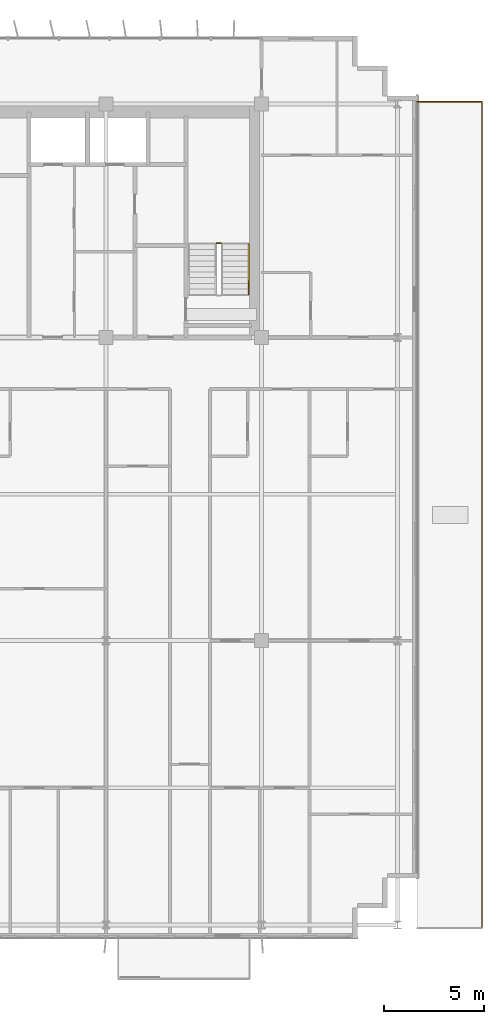
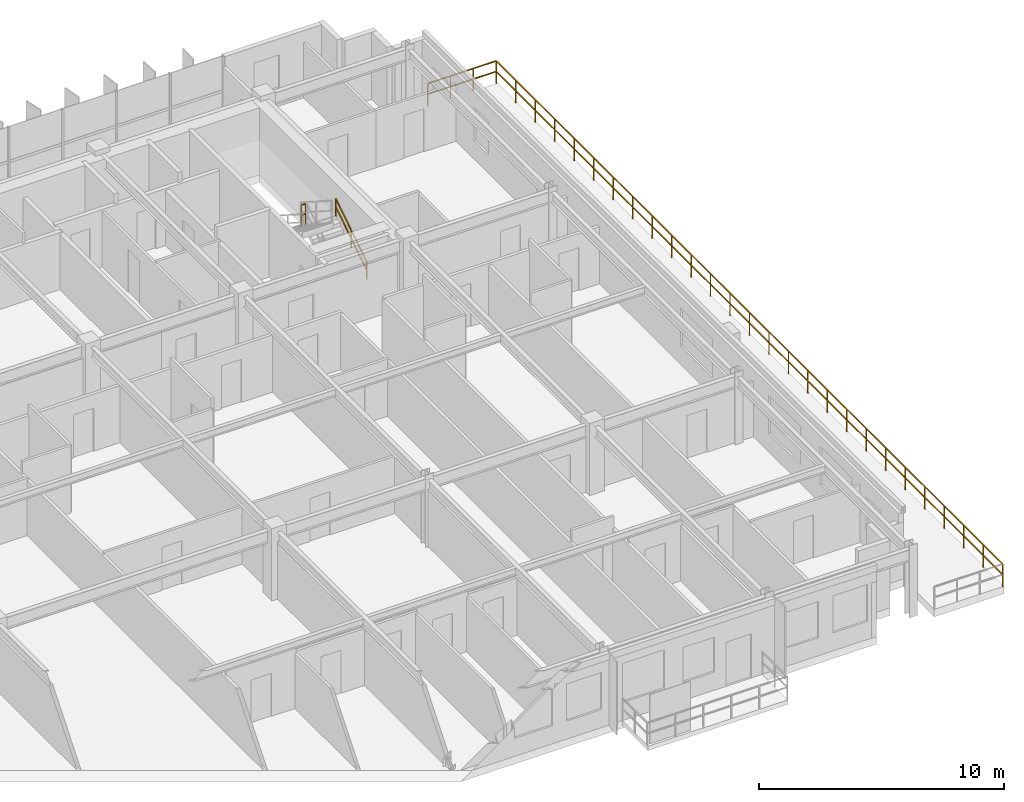
# One storey, part 22 of 22: 4 railings.
"""IFC4 building model written with IfcOpenShell, lengths in metres."""

import ifcopenshell
import ifcopenshell.guid

model = None  # the IFC model being written
_history = None  # IfcOwnerHistory: only IFC2X3 demands one
_inside = {}  # id of a spatial element -> (the spatial element, [elements in it])
_under = {}  # id of a project, library or spatial element -> (it, [spatial elements below it])
_declared = {}  # id of a project -> (the project, [libraries it declares])
_typed = {}  # id of a type object -> (the type object, [elements of that type])
_made_of = {}  # id of a material, layer set ... -> (it, [elements and type objects made of it])


def new_model(schema):
    """Start an empty IFC model of exactly this schema.

    Asked for "IFC4X3", IfcOpenShell would pick the latest addendum, in which some entities
    have other attributes; the version numbers below select the first issue.
    IFC2X3 requires an IfcOwnerHistory on every rooted entity: one is made here for all.
    """
    global model, _history
    if schema == "IFC4X3":
        model = ifcopenshell.file(schema_version=(4, 3, 0, 0))
    else:
        model = ifcopenshell.file(schema=schema)
    _inside.clear()
    _under.clear()
    _declared.clear()
    _typed.clear()
    _made_of.clear()
    _history = None
    if model.schema == "IFC2X3":
        org = make("IfcOrganization", Name="unknown")
        user = make(
            "IfcPersonAndOrganization",
            ThePerson=make("IfcPerson", FamilyName="unknown"),
            TheOrganization=org,
        )
        app = make(
            "IfcApplication",
            ApplicationDeveloper=org,
            Version="unknown",
            ApplicationFullName="unknown",
            ApplicationIdentifier="unknown",
        )
        _history = make(
            "IfcOwnerHistory",
            OwningUser=user,
            OwningApplication=app,
            ChangeAction="ADDED",
            CreationDate=0,
        )
    return model


def make(cls, **values):
    """One entity of the class cls with the attributes given. An attribute that is None is left unset."""
    return model.create_entity(
        cls, **{name: value for name, value in values.items() if value is not None}
    )


def rooted(cls, **values):
    """An entity with a GlobalId (a new one), such as an element, a storey or a relation."""
    return make(cls, GlobalId=ifcopenshell.guid.new(), OwnerHistory=_history, **values)


def si_unit(unit_type, name, prefix=None):
    """IfcSIUnit, for example si_unit("LENGTHUNIT", "METRE", prefix="MILLI")."""
    return make("IfcSIUnit", UnitType=unit_type, Prefix=prefix, Name=name)


def assignment(units):
    """IfcUnitAssignment: the units of a project."""
    return None if units is None else make("IfcUnitAssignment", Units=units)


def point(xyz):
    """IfcCartesianPoint."""
    return None if xyz is None else make("IfcCartesianPoint", Coordinates=xyz)


def direction(xyz):
    """IfcDirection."""
    return None if xyz is None else make("IfcDirection", DirectionRatios=xyz)


def frame(location, z_axis=None, x_axis=None):
    """IfcAxis2Placement3D, a coordinate frame: its origin and axes. An axis left out is left unset."""
    return make(
        "IfcAxis2Placement3D",
        Location=point(location),
        Axis=direction(z_axis),
        RefDirection=direction(x_axis),
    )


def frame_2d(location, x_axis=None):
    """IfcAxis2Placement2D, a coordinate frame in the plane: its origin and x axis."""
    return make(
        "IfcAxis2Placement2D", Location=point(location), RefDirection=direction(x_axis)
    )


def origin():
    """The frame at (0, 0, 0) with its axes left unset."""
    return frame((0.0, 0.0, 0.0))


def origin_2d():
    """The frame at (0, 0) in the plane with its x axis left unset."""
    return frame_2d((0.0, 0.0))


def place(relative_to, where):
    """IfcLocalPlacement: puts the frame where relative to a parent placement (None: the world)."""
    return make(
        "IfcLocalPlacement", PlacementRelTo=relative_to, RelativePlacement=where
    )


def context(
    kind, dimensions, precision=None, world=None, true_north=None, identifier=None
):
    """IfcGeometricRepresentationContext, for example the 3D "Model" context."""
    return make(
        "IfcGeometricRepresentationContext",
        ContextIdentifier=identifier,
        ContextType=kind,
        CoordinateSpaceDimension=dimensions,
        Precision=precision,
        WorldCoordinateSystem=world,
        TrueNorth=true_north,
    )


def subcontext(parent, identifier, kind, view, scale=None):
    """IfcGeometricRepresentationSubContext, for example "Body" below "Model"."""
    return make(
        "IfcGeometricRepresentationSubContext",
        ContextIdentifier=identifier,
        ContextType=kind,
        ParentContext=parent,
        TargetScale=scale,
        TargetView=view,
    )


def project(units=None, contexts=None):
    """IfcProject with its units and contexts."""
    return rooted(
        "IfcProject",
        Name="project",
        RepresentationContexts=contexts,
        UnitsInContext=assignment(units),
    )


def spatial(cls, under=None, at=None, **own):
    """A site, building, storey or space (cls), placed at a placement, below another one or the project."""
    s = rooted(cls, ObjectPlacement=at, **own)
    if under is not None:
        _under.setdefault(under.id(), (under, []))[1].append(s)
    return s


def profile(cls, at=None, kind="AREA", **sizes):
    """A parametric profile (cls). Its sizes go by their IFC names, for example OverallWidth=200.0."""
    return make(cls, ProfileType=kind, Position=at, **sizes)


def rectangle(**sizes):
    """IfcRectangleProfileDef."""
    return profile("IfcRectangleProfileDef", **sizes)


def extrude(swept, where, along, depth):
    """IfcExtrudedAreaSolid: the profile swept, set in the frame where, extruded along a direction by depth."""
    return make(
        "IfcExtrudedAreaSolid",
        SweptArea=swept,
        Position=where,
        ExtrudedDirection=direction(along),
        Depth=depth,
    )


def shape(context_of_items, identifier, shape_type, items):
    """IfcShapeRepresentation: the items that make up one representation, for example the "Body"."""
    return make(
        "IfcShapeRepresentation",
        ContextOfItems=context_of_items,
        RepresentationIdentifier=identifier,
        RepresentationType=shape_type,
        Items=items,
    )


def material(Name=None, Category=None):
    """IfcMaterial."""
    return make("IfcMaterial", Name=Name, Category=Category)


def made_of(thing, what):
    """Note that an element or type object is made of a material, layer set ...; save() writes the relation."""
    if what is not None:
        _made_of.setdefault(what.id(), (what, []))[1].append(thing)
    return thing


def type_object(cls, material=None, **own):
    """A type object (cls), such as IfcWallType, which elements share."""
    return made_of(rooted(cls, **own), material)


def element(
    cls,
    number,
    at=None,
    inside=None,
    cuts=None,
    type_object=None,
    material=None,
    context=None,
    identifier="Body",
    shape_type=None,
    held_by="IfcProductDefinitionShape",
    body=None,
    shapes=None,
    **own,
):
    """One element of the class cls, such as IfcWall. Its Tag is "e" and its number.

    at: its placement. inside: the storey or other place that contains it. cuts: it is an
    opening in that element (IfcRelVoidsElement). A single representation is given by context,
    identifier, shape_type and body (its items); several are given by shapes. held_by: the class
    of the entity that holds the representations. save() writes the other relations.
    """
    e = rooted(cls, Tag="e%d" % number, ObjectPlacement=at, **own)
    if body is not None:
        shapes = [shape(context, identifier, shape_type, body)]
    if shapes is not None:
        e.Representation = make(held_by, Representations=shapes)
    if inside is not None:
        _inside.setdefault(inside.id(), (inside, []))[1].append(e)
    if cuts is not None:
        rooted(
            "IfcRelVoidsElement", RelatingBuildingElement=cuts, RelatedOpeningElement=e
        )
    if type_object is not None:
        _typed.setdefault(type_object.id(), (type_object, []))[1].append(e)
    return made_of(e, material)


def aggregate(whole, parts):
    """IfcRelAggregates: a whole, such as a stair, and the parts it consists of."""
    return rooted("IfcRelAggregates", RelatingObject=whole, RelatedObjects=parts)


def save(model, path):
    """Write the relations noted so far, then the file.

    IfcRelAggregates (storeys below a building ...), IfcRelContainedInSpatialStructure (elements
    in a storey), IfcRelDefinesByType, IfcRelAssociatesMaterial and IfcRelDeclares: one each for
    every whole, place, type object, material and project.
    """
    for whole, parts in _under.values():
        aggregate(whole, parts)
    for where, things in _inside.values():
        rooted(
            "IfcRelContainedInSpatialStructure",
            RelatedElements=things,
            RelatingStructure=where,
        )
    for kind, things in _typed.values():
        rooted("IfcRelDefinesByType", RelatedObjects=things, RelatingType=kind)
    for what, things in _made_of.values():
        rooted("IfcRelAssociatesMaterial", RelatedObjects=things, RelatingMaterial=what)
    for by, libraries in _declared.values():
        rooted("IfcRelDeclares", RelatingContext=by, RelatedDefinitions=libraries)
    model.write(path)


model = new_model("IFC4")

# Units and contexts
model_context = context("Model", 3, precision=1e-05, world=origin(), true_north=direction((0.0, 1.0)))
body_context = subcontext(model_context, "Body", "Model", "MODEL_VIEW")
ifc_project = project(units=[si_unit("LENGTHUNIT", "METRE"), si_unit("AREAUNIT", "SQUARE_METRE"), si_unit("VOLUMEUNIT", "CUBIC_METRE"), si_unit("PLANEANGLEUNIT", "RADIAN"), si_unit("MASSUNIT", "GRAM", prefix="KILO")], contexts=[model_context])

# Site, building, storey
site_placement = place(None, origin())
site = spatial("IfcSite", under=ifc_project, at=site_placement, CompositionType="ELEMENT")
building_placement = place(site_placement, origin())
building = spatial("IfcBuilding", under=site, at=building_placement, Name="Trelvane Seafront Commons", CompositionType="ELEMENT")
storey_placement = place(building_placement, frame((0.0, 0.0, 132.10009765625)))
storey = spatial("IfcBuildingStorey", under=building, at=storey_placement, Name="L34", CompositionType="ELEMENT", Elevation=132.10009765625)

# Railings
ifc_material = material(Name="Stainless steel balustrade", Category="steel")
railing_type_1 = type_object("IfcRailingType", Name="ARCH-RAIL-BAL1150", PredefinedType="BALUSTRADE", material=ifc_material)
railing_1_placement = place(storey_placement, frame((69.840087890625, 3.800048828125, 0.0)))
element("IfcRailing", 1, at=railing_1_placement, inside=storey, type_object=railing_type_1, Name="RL-L34-TR1-02", PredefinedType="BALUSTRADE", context=body_context, shape_type="SweptSolid", body=[
    extrude(rectangle(XDim=0.048095703125, YDim=0.048095703125, at=origin_2d()), frame((0.0, 0.0, 1.1259765625), z_axis=(0.0, 1.0, 0.0), x_axis=(-1.0, 0.0, 0.0)), (0.0, 0.0, 1.0), 41.39990234375),
    extrude(rectangle(XDim=0.048095703125, YDim=0.048095703125, at=origin_2d()), frame((0.0, 0.0, 0.597900390625), z_axis=(0.0, 1.0, 0.0), x_axis=(-1.0, 0.0, 0.0)), (0.0, 0.0, 1.0), 41.39990234375),
    extrude(rectangle(XDim=0.0419921875, YDim=0.0419921875, at=origin_2d()), origin(), (0.0, 0.0, 1.0), 1.1259765625),
    extrude(rectangle(XDim=0.0419921875, YDim=0.0419921875, at=origin_2d()), frame((0.0, 1.59228515625, 0.0)), (0.0, 0.0, 1.0), 1.1259765625),
    extrude(rectangle(XDim=0.0419921875, YDim=0.0419921875, at=origin_2d()), frame((0.0, 3.1845703125, 0.0)), (0.0, 0.0, 1.0), 1.1259765625),
    extrude(rectangle(XDim=0.0419921875, YDim=0.0419921875, at=origin_2d()), frame((0.0, 4.77685546875, 0.0)), (0.0, 0.0, 1.0), 1.1259765625),
    extrude(rectangle(XDim=0.0419921875, YDim=0.0419921875, at=origin_2d()), frame((0.0, 6.369140625, 0.0)), (0.0, 0.0, 1.0), 1.1259765625),
    extrude(rectangle(XDim=0.0419921875, YDim=0.0419921875, at=origin_2d()), frame((0.0, 7.96142578125, 0.0)), (0.0, 0.0, 1.0), 1.1259765625),
    extrude(rectangle(XDim=0.0419921875, YDim=0.0419921875, at=origin_2d()), frame((0.0, 9.5537109375, 0.0)), (0.0, 0.0, 1.0), 1.1259765625),
    extrude(rectangle(XDim=0.0419921875, YDim=0.0419921875, at=origin_2d()), frame((0.0, 11.146240234375, 0.0)), (0.0, 0.0, 1.0), 1.1259765625),
    extrude(rectangle(XDim=0.0419921875, YDim=0.0419921875, at=origin_2d()), frame((0.0, 12.738525390625, 0.0)), (0.0, 0.0, 1.0), 1.1259765625),
    extrude(rectangle(XDim=0.0419921875, YDim=0.0419921875, at=origin_2d()), frame((0.0, 14.330810546875, 0.0)), (0.0, 0.0, 1.0), 1.1259765625),
    extrude(rectangle(XDim=0.0419921875, YDim=0.0419921875, at=origin_2d()), frame((0.0, 15.923095703125, 0.0)), (0.0, 0.0, 1.0), 1.1259765625),
    extrude(rectangle(XDim=0.0419921875, YDim=0.0419921875, at=origin_2d()), frame((0.0, 17.515380859375, 0.0)), (0.0, 0.0, 1.0), 1.1259765625),
    extrude(rectangle(XDim=0.0419921875, YDim=0.0419921875, at=origin_2d()), frame((0.0, 19.107666015625, 0.0)), (0.0, 0.0, 1.0), 1.1259765625),
    extrude(rectangle(XDim=0.0419921875, YDim=0.0419921875, at=origin_2d()), frame((0.0, 20.699951171875, 0.0)), (0.0, 0.0, 1.0), 1.1259765625),
    extrude(rectangle(XDim=0.0419921875, YDim=0.0419921875, at=origin_2d()), frame((0.0, 22.292236328125, 0.0)), (0.0, 0.0, 1.0), 1.1259765625),
    extrude(rectangle(XDim=0.0419921875, YDim=0.0419921875, at=origin_2d()), frame((0.0, 23.884521484375, 0.0)), (0.0, 0.0, 1.0), 1.1259765625),
    extrude(rectangle(XDim=0.0419921875, YDim=0.0419921875, at=origin_2d()), frame((0.0, 25.476806640625, 0.0)), (0.0, 0.0, 1.0), 1.1259765625),
    extrude(rectangle(XDim=0.0419921875, YDim=0.0419921875, at=origin_2d()), frame((0.0, 27.069091796875, 0.0)), (0.0, 0.0, 1.0), 1.1259765625),
    extrude(rectangle(XDim=0.0419921875, YDim=0.0419921875, at=origin_2d()), frame((0.0, 28.661376953125, 0.0)), (0.0, 0.0, 1.0), 1.1259765625),
    extrude(rectangle(XDim=0.0419921875, YDim=0.0419921875, at=origin_2d()), frame((0.0, 30.253662109375, 0.0)), (0.0, 0.0, 1.0), 1.1259765625),
    extrude(rectangle(XDim=0.0419921875, YDim=0.0419921875, at=origin_2d()), frame((0.0, 31.84619140625, 0.0)), (0.0, 0.0, 1.0), 1.1259765625),
    extrude(rectangle(XDim=0.0419921875, YDim=0.0419921875, at=origin_2d()), frame((0.0, 33.4384765625, 0.0)), (0.0, 0.0, 1.0), 1.1259765625),
    extrude(rectangle(XDim=0.0419921875, YDim=0.0419921875, at=origin_2d()), frame((0.0, 35.03076171875, 0.0)), (0.0, 0.0, 1.0), 1.1259765625),
    extrude(rectangle(XDim=0.0419921875, YDim=0.0419921875, at=origin_2d()), frame((0.0, 36.623046875, 0.0)), (0.0, 0.0, 1.0), 1.1259765625),
    extrude(rectangle(XDim=0.0419921875, YDim=0.0419921875, at=origin_2d()), frame((0.0, 38.21533203125, 0.0)), (0.0, 0.0, 1.0), 1.1259765625),
    extrude(rectangle(XDim=0.0419921875, YDim=0.0419921875, at=origin_2d()), frame((0.0, 39.8076171875, 0.0)), (0.0, 0.0, 1.0), 1.1259765625),
    extrude(rectangle(XDim=0.0419921875, YDim=0.0419921875, at=origin_2d()), frame((0.0, 41.39990234375, 0.0)), (0.0, 0.0, 1.0), 1.1259765625),
])
railing_2_placement = place(storey_placement, frame((69.840087890625, 45.199951171875, 0.0)))
element("IfcRailing", 2, at=railing_2_placement, inside=storey, type_object=railing_type_1, Name="RL-L34-TR1-03", PredefinedType="BALUSTRADE", context=body_context, shape_type="SweptSolid", body=[
    extrude(rectangle(XDim=0.048095703125, YDim=0.048095703125, at=origin_2d()), frame((0.0, 0.0, 1.1259765625), z_axis=(-1.0, 0.0, 0.0), x_axis=(0.0, -1.0, 0.0)), (0.0, 0.0, 1.0), 3.239990234375),
    extrude(rectangle(XDim=0.048095703125, YDim=0.048095703125, at=origin_2d()), frame((0.0, 0.0, 0.597900390625), z_axis=(-1.0, 0.0, 0.0), x_axis=(0.0, -1.0, 0.0)), (0.0, 0.0, 1.0), 3.239990234375),
    extrude(rectangle(XDim=0.0419921875, YDim=0.0419921875, at=origin_2d()), origin(), (0.0, 0.0, 1.0), 1.1259765625),
    extrude(rectangle(XDim=0.0419921875, YDim=0.0419921875, at=origin_2d()), frame((-1.080078125, 0.0, 0.0)), (0.0, 0.0, 1.0), 1.1259765625),
    extrude(rectangle(XDim=0.0419921875, YDim=0.0419921875, at=origin_2d()), frame((-2.159912109375, 0.0, 0.0)), (0.0, 0.0, 1.0), 1.1259765625),
    extrude(rectangle(XDim=0.0419921875, YDim=0.0419921875, at=origin_2d()), frame((-3.239990234375, 0.0, 0.0)), (0.0, 0.0, 1.0), 1.1259765625),
])
railing_type_2 = type_object("IfcRailingType", Name="ARCH-SRL-GUARD", PredefinedType="GUARDRAIL", material=ifc_material)
railing_3_placement = place(storey_placement, frame((56.75, 38.1201171875, 1.7998046875)))
element("IfcRailing", 3, at=railing_3_placement, inside=storey, type_object=railing_type_2, Name="L34 ST-2 stair guard 2", PredefinedType="GUARDRAIL", context=body_context, shape_type="SweptSolid", body=[
    extrude(rectangle(XDim=0.048095703125, YDim=0.048095703125, at=origin_2d()), frame((0.0, 0.0, 1.076171875), z_axis=(-1.0, 0.0, 0.0), x_axis=(0.0, -1.0, 0.0)), (0.0, 0.0, 1.0), 0.199951171875),
    extrude(rectangle(XDim=0.048095703125, YDim=0.048095703125, at=origin_2d()), frame((0.0, 0.0, 0.572021484375), z_axis=(-1.0, 0.0, 0.0), x_axis=(0.0, -1.0, 0.0)), (0.0, 0.0, 1.0), 0.199951171875),
    extrude(rectangle(XDim=0.0419921875, YDim=0.0419921875, at=origin_2d()), origin(), (0.0, 0.0, 1.0), 1.076171875),
    extrude(rectangle(XDim=0.0419921875, YDim=0.0419921875, at=origin_2d()), frame((-0.199951171875, 0.0, 0.0)), (0.0, 0.0, 1.0), 1.076171875),
])
railing_type_3 = type_object("IfcRailingType", Name="ARCH-SRL-HAND", PredefinedType="HANDRAIL", material=ifc_material)
railing_4_placement = place(storey_placement, frame((58.14990234375, 35.550048828125, 0.179931640625)))
element("IfcRailing", 4, at=railing_4_placement, inside=storey, type_object=railing_type_3, Name="L34 ST-2 stair handrail 1", PredefinedType="HANDRAIL", context=body_context, shape_type="SweptSolid", body=[
    extrude(rectangle(XDim=0.048095703125, YDim=0.048095703125, at=origin_2d()), frame((0.0, 0.0, 0.8759765625), z_axis=(0.0, 0.841199657755, 0.540724639528), x_axis=(-1.0, 0.0, 0.0)), (0.0, 0.0, 1.0), 2.995849609375),
    extrude(rectangle(XDim=0.048095703125, YDim=0.048095703125, at=origin_2d()), frame((0.0, 0.0, 0.468017578125), z_axis=(0.0, 0.841199657755, 0.540724639528), x_axis=(-1.0, 0.0, 0.0)), (0.0, 0.0, 1.0), 2.995849609375),
    extrude(rectangle(XDim=0.0419921875, YDim=0.0419921875, at=origin_2d()), origin(), (0.0, 0.0, 1.0), 0.8759765625),
    extrude(rectangle(XDim=0.0419921875, YDim=0.0419921875, at=origin_2d()), frame((0.0, 1.260009765625, 0.81005859375)), (0.0, 0.0, 1.0), 0.8759765625),
    extrude(rectangle(XDim=0.0419921875, YDim=0.0419921875, at=origin_2d()), frame((0.0, 2.52001953125, 1.619873046875)), (0.0, 0.0, 1.0), 0.8759765625),
])

save(model, "model.ifc")
